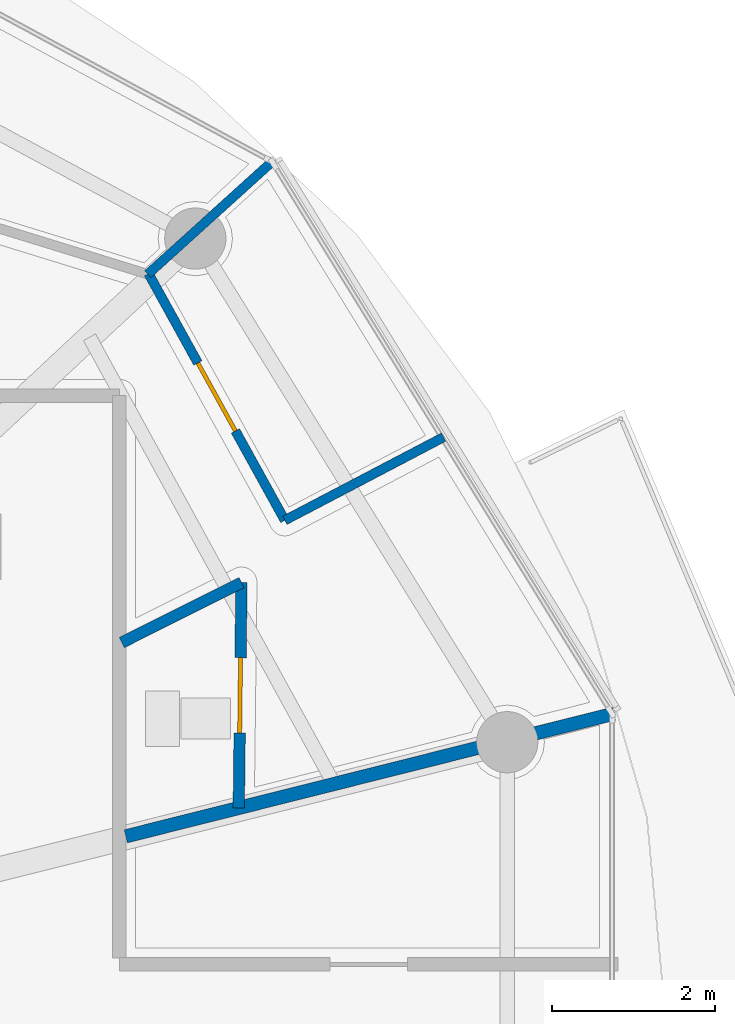
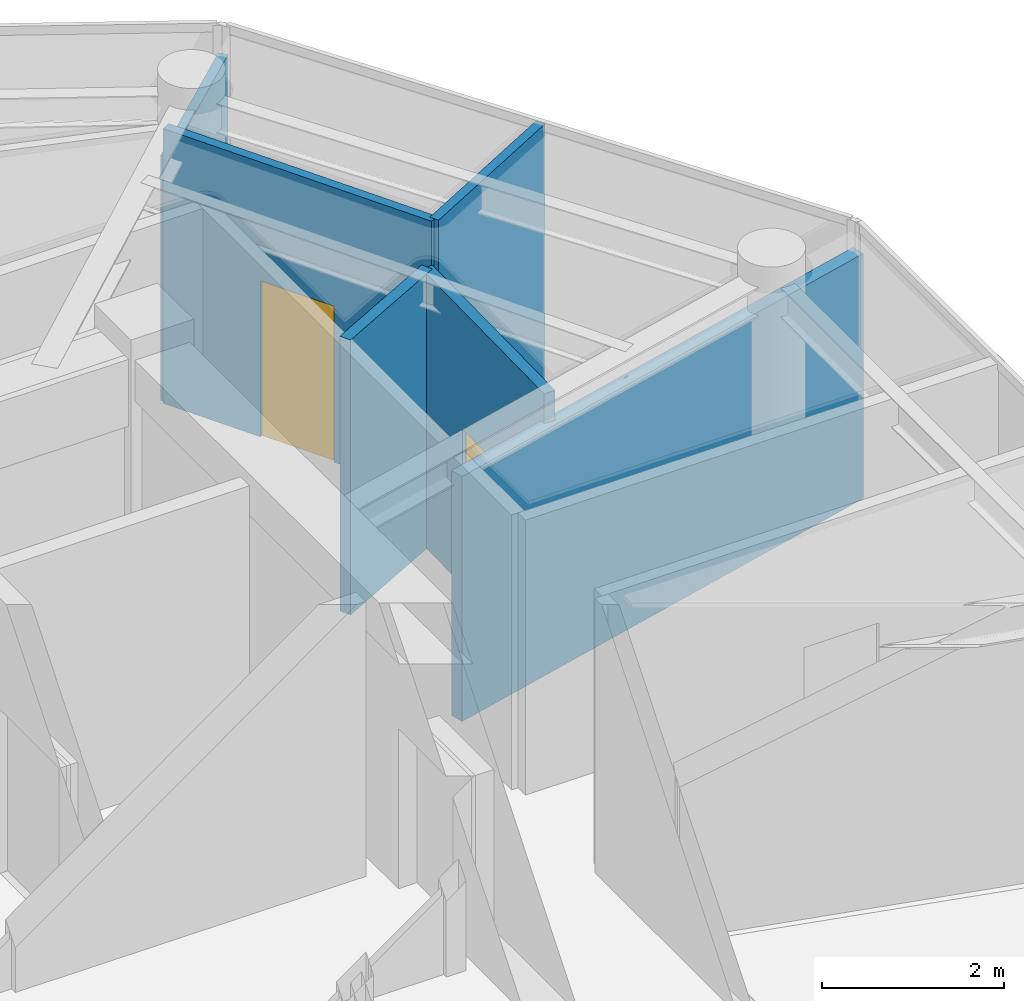
# One storey, part 20 of 31: 6 walls, 2 doors, 2 openings.
"""IFC4 building model written with IfcOpenShell, lengths in metres."""

from ifc_helpers import new_model, si_unit, direction, frame, frame_2d, origin, place, context, subcontext, project, spatial, rectangle, extrude, source, transform, mapped, material, layer, layer_set, type_object, type_shapes, element, fill, save


model = new_model("IFC4")

# Units and contexts
model_context = context("Model", 3, precision=1e-05, world=origin(), true_north=direction((0.0, 1.0)))
body_context = subcontext(model_context, "Body", "Model", "MODEL_VIEW")
ifc_project = project(units=[si_unit("LENGTHUNIT", "METRE"), si_unit("AREAUNIT", "SQUARE_METRE"), si_unit("VOLUMEUNIT", "CUBIC_METRE"), si_unit("PLANEANGLEUNIT", "RADIAN"), si_unit("MASSUNIT", "GRAM", prefix="KILO")], contexts=[model_context])

# Site, building, storey
site_placement = place(None, origin())
site = spatial("IfcSite", under=ifc_project, at=site_placement, CompositionType="ELEMENT")
building_placement = place(site_placement, origin())
building = spatial("IfcBuilding", under=site, at=building_placement, Name="Norrkilde Senior Care Towers", CompositionType="ELEMENT")
storey_placement = place(building_placement, frame((0.0, 0.0, 199.800048828125)))
storey = spatial("IfcBuildingStorey", under=building, at=storey_placement, Name="L62", CompositionType="ELEMENT", Elevation=199.800048828125)

# Walls
ifc_material_1 = material(Name="Gypsum Acoustic Board")
ifc_layer_1 = layer(ifc_material_1, 0.1650390625)
ifc_layer_set_1 = layer_set([ifc_layer_1], Name="Gypsum Acoustic Board")
wall_type_1 = type_object("IfcWallType", Name="Corridor Rated Partition 165", PredefinedType="PARTITIONING", material=ifc_layer_set_1)
shared_shape_1 = source(origin(), body_context, "Body", "SweptSolid", [
    extrude(rectangle(XDim=6.1572265625, YDim=0.1650390625, at=frame_2d((3.07861328125, 0.0))), origin(), (0.0, 0.0, 1.0), 3.294921875),
])
type_shapes(wall_type_1, [shared_shape_1])
wall_1_placement = place(storey_placement, frame((37.580078125, 2.407470703125, 0.0), z_axis=(0.0, 0.0, 1.0), x_axis=(0.969840867184, 0.243738984038, 0.0)))
element("IfcWall", 1, at=wall_1_placement, inside=storey, type_object=wall_type_1, Name="WL-INT-L62-E-DEM-00-0", PredefinedType="PARTITIONING", context=body_context, shape_type="MappedRepresentation", body=[
    mapped(shared_shape_1, transform((0.0, 0.0, 0.0), x_axis=(1.0, 0.0, 0.0), y_axis=(0.0, 1.0, 0.0), z_axis=(0.0, 0.0, 1.0), scale=1.0)),
])
ifc_layer_2 = layer(ifc_material_1, 0.114990234375)
ifc_layer_set_2 = layer_set([ifc_layer_2], Name="Gypsum Acoustic Board")
wall_type_2 = type_object("IfcWallType", Name="Internal Room Partition 115", PredefinedType="PARTITIONING", material=ifc_layer_set_2)
shared_shape_2 = source(origin(), body_context, "Body", "SweptSolid", [
    extrude(rectangle(XDim=2.071533203125, YDim=0.114990234375, at=frame_2d((1.03564453125, 0.0))), origin(), (0.0, 0.0, 1.0), 3.294921875),
])
wall_2_placement = place(storey_placement, frame((37.8486328125, 9.287109375, 0.0), z_axis=(0.0, 0.0, 1.0), x_axis=(0.741410125356, 0.671052178314, 0.0)))
element("IfcWall", 2, at=wall_2_placement, inside=storey, type_object=wall_type_2, Name="WL-INT-L62-E-UBR-00-1", PredefinedType="PARTITIONING", context=body_context, shape_type="MappedRepresentation", body=[
    mapped(shared_shape_2, transform((0.0, 0.0, 0.0), x_axis=(1.0, 0.0, 0.0), y_axis=(0.0, 1.0, 0.0), z_axis=(0.0, 0.0, 1.0), scale=1.0)),
])
ifc_layer_3 = layer(ifc_material_1, 0.139892578125)
ifc_layer_set_3 = layer_set([ifc_layer_3], Name="Gypsum Acoustic Board")
wall_type_3 = type_object("IfcWallType", Name="En-suite Wet Room Wall 140", PredefinedType="PARTITIONING", material=ifc_layer_set_3)
shared_shape_3 = source(origin(), body_context, "Body", "SweptSolid", [
    extrude(rectangle(XDim=1.638427734375, YDim=0.139892578125, at=frame_2d((0.8193359375, 0.0))), origin(), (0.0, 0.0, 1.0), 3.695068359375),
])
wall_3_placement = place(storey_placement, frame((37.530029296875, 4.7783203125, 0.0), z_axis=(0.0, 0.0, 1.0), x_axis=(0.893919977945, 0.448226586707, 0.0)))
element("IfcWall", 3, at=wall_3_placement, inside=storey, type_object=wall_type_3, Name="WL-INT-L62-E-UBTS-00", PredefinedType="PARTITIONING", context=body_context, shape_type="MappedRepresentation", body=[
    mapped(shared_shape_3, transform((0.0, 0.0, 0.0), x_axis=(1.0, 0.0, 0.0), y_axis=(0.0, 1.0, 0.0), z_axis=(0.0, 0.0, 1.0), scale=1.0)),
])

# Wall, opening, door
shared_shape_4 = source(origin(), body_context, "Body", "SweptSolid", [
    extrude(rectangle(XDim=2.7587890625, YDim=0.139892578125, at=frame_2d((1.37939453125, 0.0))), origin(), (0.0, 0.0, 1.0), 3.695068359375),
])
type_shapes(wall_type_3, [shared_shape_3, shared_shape_4])
wall_4_placement = place(storey_placement, frame((38.99462890625, 5.5126953125, 0.0), z_axis=(0.0, 0.0, 1.0), x_axis=(-0.01194710728, -0.999928630767, 0.0)))
wall_4 = element("IfcWall", 4, at=wall_4_placement, inside=storey, type_object=wall_type_3, Name="WL-INT-L62-E-UBTF-00", PredefinedType="PARTITIONING", context=body_context, shape_type="MappedRepresentation", body=[
    mapped(shared_shape_4, transform((0.0, 0.0, 0.0), x_axis=(1.0, 0.0, 0.0), y_axis=(0.0, 1.0, 0.0), z_axis=(0.0, 0.0, 1.0), scale=1.0)),
])
opening_1_placement = place(wall_4_placement, frame((0.91943359375, 0.0, 0.0)))
opening_1 = element("IfcOpeningElement", 5, at=opening_1_placement, cuts=wall_4, Name="Opening D-08", PredefinedType="OPENING", context=body_context, shape_type="SweptSolid", body=[
    extrude(rectangle(XDim=0.919921875, YDim=2.10009765625, at=frame_2d((0.4599609375, 1.050048828125))), frame((0.0, 0.079833984375, 0.0), z_axis=(0.0, -1.0, 0.0), x_axis=(1.0, 0.0, 0.0)), (0.0, 0.0, 1.0), 0.159912109375),
])
ifc_material_2 = material(Name="Nordic Ash Timber", Category="wood")
door_type_1 = type_object("IfcDoorType", Name="Accessible Wet Room Door 920x2100", OperationType="NOTDEFINED", PredefinedType="DOOR", material=ifc_material_2)
shared_shape_5 = source(origin(), body_context, "Body", "SweptSolid", [
    extrude(rectangle(XDim=0.919921875, YDim=2.10009765625, at=frame_2d((0.4599609375, 1.050048828125))), frame((0.0, 0.02490234375, 0.0), z_axis=(0.0, -1.0, 0.0), x_axis=(1.0, 0.0, 0.0)), (0.0, 0.0, 1.0), 0.050048828125),
])
type_shapes(door_type_1, [shared_shape_5])
door_1_placement = place(opening_1_placement, origin())
door_1 = element("IfcDoor", 6, at=door_1_placement, inside=storey, type_object=door_type_1, Name="Apartment 62A Bathroom Door", OperationType="SINGLE_SWING_RIGHT", OverallHeight=2.10009765625, OverallWidth=0.919921875, PredefinedType="DOOR", context=body_context, shape_type="MappedRepresentation", body=[
    mapped(shared_shape_5, transform((0.0, 0.0, 0.0), x_axis=(1.0, 0.0, 0.0), y_axis=(0.0, 1.0, 0.0), z_axis=(0.0, 0.0, 1.0), scale=1.0)),
])
fill(opening_1, door_1)

# Wall
shared_shape_6 = source(origin(), body_context, "Body", "SweptSolid", [
    extrude(rectangle(XDim=2.193115234375, YDim=0.114990234375, at=frame_2d((1.0966796875, 0.0))), origin(), (0.0, 0.0, 1.0), 3.695068359375),
])
wall_5_placement = place(storey_placement, frame((39.525390625, 6.27490234375, 0.0), z_axis=(0.0, 0.0, 1.0), x_axis=(0.885783595046, 0.464098505435, 0.0)))
element("IfcWall", 7, at=wall_5_placement, inside=storey, type_object=wall_type_2, Name="WL-INT-L62-E-UKTS-00", PredefinedType="PARTITIONING", context=body_context, shape_type="MappedRepresentation", body=[
    mapped(shared_shape_6, transform((0.0, 0.0, 0.0), x_axis=(1.0, 0.0, 0.0), y_axis=(0.0, 1.0, 0.0), z_axis=(0.0, 0.0, 1.0), scale=1.0)),
])

# Wall, opening, door
shared_shape_7 = source(origin(), body_context, "Body", "SweptSolid", [
    extrude(rectangle(XDim=3.4501953125, YDim=0.114990234375, at=frame_2d((1.72509765625, 0.0))), origin(), (0.0, 0.0, 1.0), 3.695068359375),
])
type_shapes(wall_type_2, [shared_shape_2, shared_shape_6, shared_shape_7])
wall_6_placement = place(storey_placement, frame((39.525390625, 6.27490234375, 0.0), z_axis=(0.0, 0.0, 1.0), x_axis=(-0.483659007882, 0.875256513312, 0.0)))
wall_6 = element("IfcWall", 8, at=wall_6_placement, inside=storey, type_object=wall_type_2, Name="WL-INT-L62-E-UKTF-00", PredefinedType="PARTITIONING", context=body_context, shape_type="MappedRepresentation", body=[
    mapped(shared_shape_7, transform((0.0, 0.0, 0.0), x_axis=(1.0, 0.0, 0.0), y_axis=(0.0, 1.0, 0.0), z_axis=(0.0, 0.0, 1.0), scale=1.0)),
])
opening_2_placement = place(wall_6_placement, frame((1.25, 0.0, 0.0)))
opening_2 = element("IfcOpeningElement", 9, at=opening_2_placement, cuts=wall_6, Name="Opening D-07", PredefinedType="OPENING", context=body_context, shape_type="SweptSolid", body=[
    extrude(rectangle(XDim=0.949951171875, YDim=2.10009765625, at=frame_2d((0.47509765625, 1.050048828125))), frame((0.0, 0.0673828125, 0.0), z_axis=(0.0, -1.0, 0.0), x_axis=(1.0, 0.0, 0.0)), (0.0, 0.0, 1.0), 0.135009765625),
])
door_type_2 = type_object("IfcDoorType", Name="Internal Suite Bedroom Door 950x2100", OperationType="NOTDEFINED", PredefinedType="DOOR", material=ifc_material_2)
shared_shape_8 = source(origin(), body_context, "Body", "SweptSolid", [
    extrude(rectangle(XDim=0.949951171875, YDim=2.10009765625, at=frame_2d((0.47509765625, 1.050048828125))), frame((0.0, 0.02490234375, 0.0), z_axis=(0.0, -1.0, 0.0), x_axis=(1.0, 0.0, 0.0)), (0.0, 0.0, 1.0), 0.050048828125),
])
type_shapes(door_type_2, [shared_shape_8])
door_2_placement = place(opening_2_placement, frame((0.949951171875, 0.0, 0.0), z_axis=(0.0, 0.0, 1.0), x_axis=(-1.0, 0.0, 0.0)))
door_2 = element("IfcDoor", 10, at=door_2_placement, inside=storey, type_object=door_type_2, Name="Apartment 62A Kitchen Door", OperationType="SINGLE_SWING_LEFT", OverallHeight=2.10009765625, OverallWidth=0.949951171875, PredefinedType="DOOR", context=body_context, shape_type="MappedRepresentation", body=[
    mapped(shared_shape_8, transform((0.0, 0.0, 0.0), x_axis=(1.0, 0.0, 0.0), y_axis=(0.0, 1.0, 0.0), z_axis=(0.0, 0.0, 1.0), scale=1.0)),
])
fill(opening_2, door_2)

save(model, "model.ifc")
